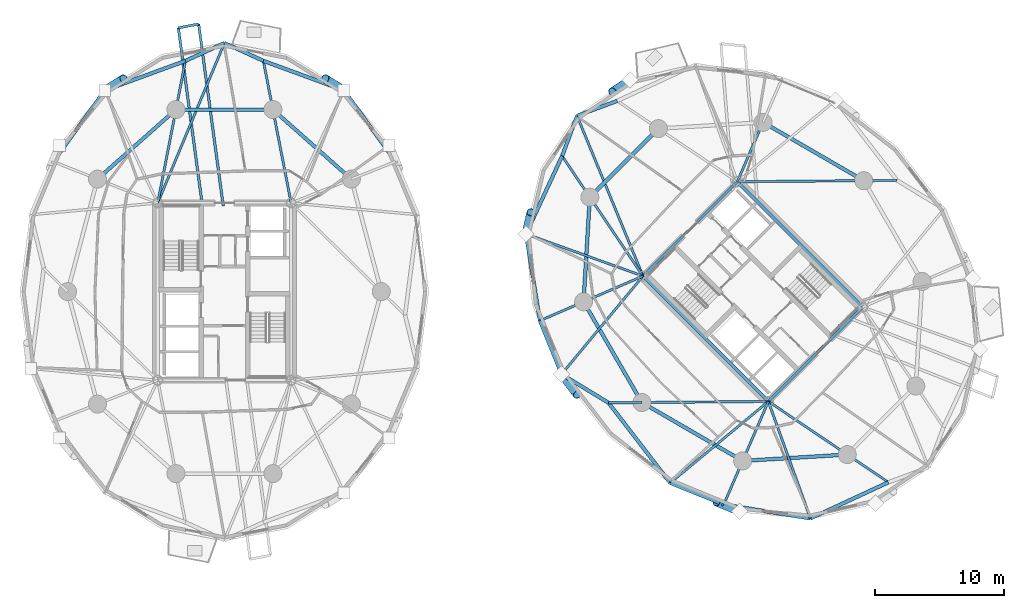
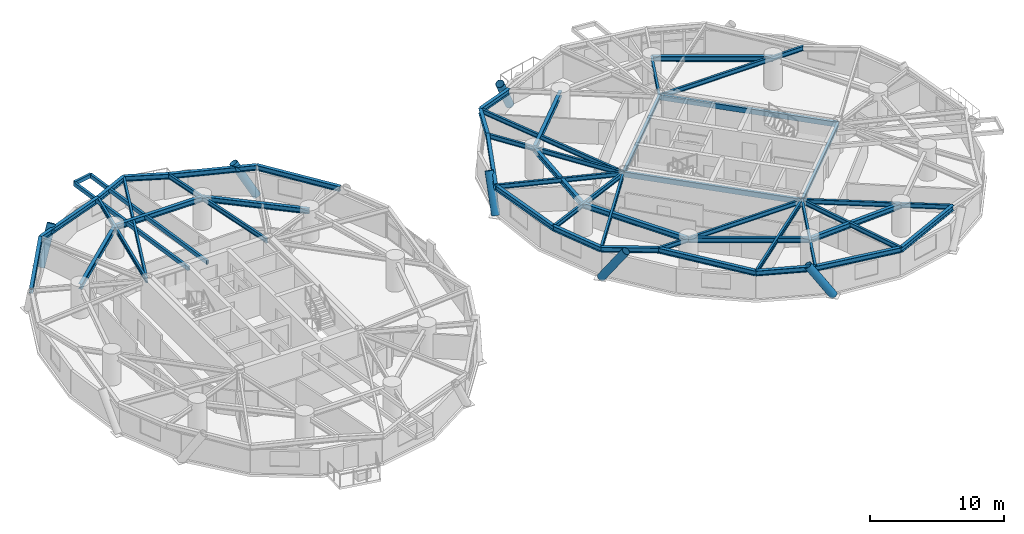
# One storey, part 5 of 18: 48 beams, 6 members.
"""IFC4 building model written with IfcOpenShell, lengths in metres."""

from ifc_helpers import new_model, si_unit, direction, frame, origin, origin_2d, place, context, subcontext, project, spatial, hollow_rectangle, hollow_circle, i_section, extrude, material, material_profile, profile_set, type_object, element, save


model = new_model("IFC4")

# Units and contexts
model_context = context("Model", 3, precision=1e-05, world=origin(), true_north=direction((0.0, 1.0)))
body_context = subcontext(model_context, "Body", "Model", "MODEL_VIEW")
ifc_project = project(units=[si_unit("LENGTHUNIT", "METRE"), si_unit("AREAUNIT", "SQUARE_METRE"), si_unit("VOLUMEUNIT", "CUBIC_METRE"), si_unit("PLANEANGLEUNIT", "RADIAN"), si_unit("MASSUNIT", "GRAM", prefix="KILO")], contexts=[model_context])

# Site, building, storey
site_placement = place(None, origin())
site = spatial("IfcSite", under=ifc_project, at=site_placement, CompositionType="ELEMENT")
building_placement = place(site_placement, origin())
building = spatial("IfcBuilding", under=site, at=building_placement, Name="Cununo Teusaquillo Station Towers", CompositionType="ELEMENT")
storey_placement = place(building_placement, frame((0.0, 0.0, 119.6201171875)))
storey = spatial("IfcBuildingStorey", under=building, at=storey_placement, Name="L38", CompositionType="ELEMENT", Elevation=119.6201171875)

# Beams
ifc_material_1 = material(Name="Steel EN 10025-2 S355J2", Category="steel")
ifc_material_profile_1 = material_profile(ifc_material_1, hollow_rectangle(XDim=0.199951171875, YDim=0.35009765625, WallThickness=0.013916015625, at=origin_2d()), Name="RHS 350x200x14")
ifc_profile_set_1 = profile_set([ifc_material_profile_1], Name="Steel EN 10025-2 S355J2")
beam_type_1 = type_object("IfcBeamType", Name="BM-BAL-CANT", PredefinedType="BEAM", material=ifc_profile_set_1)
beam_1_placement = place(storey_placement, frame((16.40869140625, 31.14990234375, 2.494873046875), z_axis=(-0.133936551357, 0.990989909237, 0.0), x_axis=(-0.990989909237, -0.133936551357, 0.0)))
element("IfcBeam", 1, at=beam_1_placement, inside=storey, type_object=beam_type_1, Name="L38 Tower A Balcony Cantilever Bracket 1A", PredefinedType="BEAM", context=body_context, shape_type="SweptSolid", body=[
    extrude(hollow_rectangle(XDim=0.199951171875, YDim=0.35009765625, WallThickness=0.013916015625, at=origin_2d()), origin(), (0.0, 0.0, 1.0), 14.24169921875),
])
beam_2_placement = place(storey_placement, frame((14.793701171875, 31.14990234375, 2.494873046875), z_axis=(-0.133960678738, 0.990986648019, 0.0), x_axis=(-0.990986648019, -0.133960678738, 0.0)))
element("IfcBeam", 2, at=beam_2_placement, inside=storey, type_object=beam_type_1, Name="L38 Tower A Balcony Cantilever Bracket 1B", PredefinedType="BEAM", context=body_context, shape_type="SweptSolid", body=[
    extrude(hollow_rectangle(XDim=0.199951171875, YDim=0.35009765625, WallThickness=0.013916015625, at=origin_2d()), origin(), (0.0, 0.0, 1.0), 13.9345703125),
])
ifc_material_2 = material(Name="Steel EN 10025-2 S355J2", Category="steel")
ifc_material_profile_2 = material_profile(ifc_material_2, hollow_rectangle(XDim=0.25, YDim=0.449951171875, WallThickness=0.01611328125, at=origin_2d()), Name="RHS 450x250x16")
ifc_profile_set_2 = profile_set([ifc_material_profile_2], Name="Steel EN 10025-2 S355J2")
beam_type_2 = type_object("IfcBeamType", Name="BM-COUP-1", PredefinedType="USERDEFINED", material=ifc_profile_set_2)
for number, where, z_axis, x_axis, name in (
    (3, (58.70556640625, 15.975830078125, 2.44482421875), (-0.707106781187, 0.707106781187, 0.0), (-0.707106781187, -0.707106781187, 0.0), "L38 Tower B Core Beam 1"),
    (4, (66.024169921875, 23.29443359375, 2.44482421875), (-0.707106781187, 0.707106781187, 0.0), (-0.707106781187, -0.707106781187, 0.0), "L38 Tower B Core Beam 2"),
):
    element("IfcBeam", number, at=place(storey_placement, frame(where, z_axis=z_axis, x_axis=x_axis)), inside=storey, type_object=beam_type_2, Name=name, ObjectType="COUPLING BEAM", PredefinedType="USERDEFINED", context=body_context, shape_type="SweptSolid", body=[
        extrude(hollow_rectangle(XDim=0.25, YDim=0.449951171875, WallThickness=0.01611328125, at=origin_2d()), origin(), (0.0, 0.0, 1.0), 13.760009765625),
    ])
ifc_material_3 = material(Name="Steel ASTM A572 Grade 50", Category="steel")
ifc_material_profile_3 = material_profile(ifc_material_3, i_section(OverallWidth=0.180908203125, OverallDepth=0.4169921875, WebThickness=0.010986328125, FlangeThickness=0.018310546875, FilletRadius=0.012939453125, at=origin_2d()), Name="W16X57")
ifc_profile_set_3 = profile_set([ifc_material_profile_3], Name="Steel ASTM A572 Grade 50")
beam_type_3 = type_object("IfcBeamType", Name="BM-JOIST-1", PredefinedType="JOIST", material=ifc_profile_set_3)
beam_3_placement = place(storey_placement, frame((11.324951171875, 31.3798828125, 2.46142578125), z_axis=(0.38487837995, 0.922967297713, 0.0), x_axis=(-0.922967297713, 0.38487837995, 0.0)))
element("IfcBeam", 5, at=beam_3_placement, inside=storey, type_object=beam_type_3, Name="L38 Tower A Radial Spandrel Joist V05", PredefinedType="JOIST", context=body_context, shape_type="SweptSolid", body=[
    extrude(i_section(OverallWidth=0.180908203125, OverallDepth=0.4169921875, WebThickness=0.010986328125, FlangeThickness=0.018310546875, FilletRadius=0.012939453125, at=origin_2d()), origin(), (0.0, 0.0, 1.0), 13.446044921875),
])
beam_4_placement = place(storey_placement, frame((48.975830078125, 25.70556640625, 2.46142578125), z_axis=(-0.380485864505, 0.924786735908, 0.0), x_axis=(-0.924786735908, -0.380485864505, 0.0)))
element("IfcBeam", 6, at=beam_4_placement, inside=storey, type_object=beam_type_3, Name="L38 Tower B Radial Spandrel Joist V05", PredefinedType="JOIST", context=body_context, shape_type="SweptSolid", body=[
    extrude(i_section(OverallWidth=0.180908203125, OverallDepth=0.4169921875, WebThickness=0.010986328125, FlangeThickness=0.018310546875, FilletRadius=0.012939453125, at=origin_2d()), origin(), (0.0, 0.0, 1.0), 13.44580078125),
])
beam_5_placement = place(storey_placement, frame((48.975830078125, 25.70556640625, 2.46142578125), z_axis=(-0.941082771055, 0.338176312038, 0.0), x_axis=(-0.338176312038, -0.941082771055, 0.0)))
element("IfcBeam", 7, at=beam_5_placement, inside=storey, type_object=beam_type_3, Name="L38 Tower B Radial Spandrel Joist V07", PredefinedType="JOIST", context=body_context, shape_type="SweptSolid", body=[
    extrude(i_section(OverallWidth=0.180908203125, OverallDepth=0.4169921875, WebThickness=0.010986328125, FlangeThickness=0.018310546875, FilletRadius=0.012939453125, at=origin_2d()), origin(), (0.0, 0.0, 1.0), 9.646484375),
])
for number, where, z_axis, x_axis, name in (
    (8, (48.975830078125, 25.70556640625, 2.46142578125), (-0.638372238196, -0.769727799615, 0.0), (0.769727799615, -0.638372238196, 0.0), "L38 Tower B Radial Spandrel Joist V09"),
    (9, (58.70556640625, 15.975830078125, 2.46142578125), (-0.769727799615, -0.638372238196, 0.0), (0.638372238196, -0.769727799615, 0.0), "L38 Tower B Radial Spandrel Joist V11"),
):
    element("IfcBeam", number, at=place(storey_placement, frame(where, z_axis=z_axis, x_axis=x_axis)), inside=storey, type_object=beam_type_3, Name=name, PredefinedType="JOIST", context=body_context, shape_type="SweptSolid", body=[
        extrude(i_section(OverallWidth=0.180908203125, OverallDepth=0.4169921875, WebThickness=0.010986328125, FlangeThickness=0.018310546875, FilletRadius=0.012939453125, at=origin_2d()), origin(), (0.0, 0.0, 1.0), 9.895263671875),
    ])
beam_6_placement = place(storey_placement, frame((58.70556640625, 15.975830078125, 2.46142578125), z_axis=(0.338176312038, -0.941082771055, 0.0), x_axis=(0.941082771055, 0.338176312038, 0.0)))
element("IfcBeam", 10, at=beam_6_placement, inside=storey, type_object=beam_type_3, Name="L38 Tower B Radial Spandrel Joist V13", PredefinedType="JOIST", context=body_context, shape_type="SweptSolid", body=[
    extrude(i_section(OverallWidth=0.180908203125, OverallDepth=0.4169921875, WebThickness=0.010986328125, FlangeThickness=0.018310546875, FilletRadius=0.012939453125, at=origin_2d()), origin(), (0.0, 0.0, 1.0), 9.646484375),
])
ifc_material_4 = material(Name="Steel ASTM A572 Grade 50", Category="steel")
ifc_material_profile_4 = material_profile(ifc_material_4, i_section(OverallWidth=0.2041015625, OverallDepth=0.35009765625, WebThickness=0.008544921875, FlangeThickness=0.01513671875, FilletRadius=0.011962890625, at=origin_2d()), Name="W14X48")
ifc_profile_set_4 = profile_set([ifc_material_profile_4], Name="Steel ASTM A572 Grade 50")
beam_type_4 = type_object("IfcBeamType", Name="BM-LINTEL-1", PredefinedType="LINTEL", material=ifc_profile_set_4)
for number, where, z_axis, x_axis, name in (
    (11, (58.70556640625, 15.975830078125, 2.494873046875), (0.707106781187, 0.707106781187, 0.0), (-0.707106781187, 0.707106781187, 0.0), "L38 Tower B Core Beam 3"),
    (12, (48.975830078125, 25.70556640625, 2.494873046875), (0.707106781187, 0.707106781187, 0.0), (-0.707106781187, 0.707106781187, 0.0), "L38 Tower B Core Beam 4"),
):
    element("IfcBeam", number, at=place(storey_placement, frame(where, z_axis=z_axis, x_axis=x_axis)), inside=storey, type_object=beam_type_4, Name=name, PredefinedType="LINTEL", context=body_context, shape_type="SweptSolid", body=[
        extrude(i_section(OverallWidth=0.2041015625, OverallDepth=0.35009765625, WebThickness=0.008544921875, FlangeThickness=0.01513671875, FilletRadius=0.011962890625, at=origin_2d()), origin(), (0.0, 0.0, 1.0), 10.35009765625),
    ])
ifc_material_5 = material(Name="Steel ASTM A572 Grade 50", Category="steel")
ifc_material_profile_5 = material_profile(ifc_material_5, i_section(OverallWidth=0.180908203125, OverallDepth=0.4169921875, WebThickness=0.010986328125, FlangeThickness=0.018310546875, FilletRadius=0.012939453125, at=origin_2d()), Name="W16X57")
ifc_profile_set_5 = profile_set([ifc_material_profile_5], Name="Steel ASTM A572 Grade 50")
beam_type_5 = type_object("IfcBeamType", Name="BM-RAD-G2", PredefinedType="BEAM", material=ifc_profile_set_5)
for number, where, z_axis, x_axis, name in (
    (13, (21.675048828125, 31.3798828125, 2.46142578125), (-0.191552755713, 0.981482318628, 0.0), (-0.981482318628, -0.191552755713, 0.0), "L38 Tower A Continuous Overhanging Radial Girder 03"),
    (14, (11.324951171875, 31.3798828125, 2.46142578125), (0.191552755713, 0.981482318628, 0.0), (-0.981482318628, 0.191552755713, 0.0), "L38 Tower A Continuous Overhanging Radial Girder 04"),
):
    element("IfcBeam", number, at=place(storey_placement, frame(where, z_axis=z_axis, x_axis=x_axis)), inside=storey, type_object=beam_type_5, Name=name, PredefinedType="BEAM", context=body_context, shape_type="SweptSolid", body=[
        extrude(i_section(OverallWidth=0.180908203125, OverallDepth=0.4169921875, WebThickness=0.010986328125, FlangeThickness=0.018310546875, FilletRadius=0.012939453125, at=origin_2d()), origin(), (0.0, 0.0, 1.0), 11.22998046875),
    ])
beam_7_placement = place(storey_placement, frame((56.29443359375, 33.024169921875, 2.46142578125), z_axis=(0.999964331255, 0.008446077024, 0.0), x_axis=(-0.008446077024, 0.999964331255, 0.0)))
element("IfcBeam", 15, at=beam_7_placement, inside=storey, type_object=beam_type_5, Name="L38 Tower B Continuous Overhanging Radial Girder 01", PredefinedType="BEAM", context=body_context, shape_type="SweptSolid", body=[
    extrude(i_section(OverallWidth=0.180908203125, OverallDepth=0.4169921875, WebThickness=0.010986328125, FlangeThickness=0.018310546875, FilletRadius=0.012939453125, at=origin_2d()), origin(), (0.0, 0.0, 1.0), 12.400634765625),
])
beam_8_placement = place(storey_placement, frame((56.29443359375, 33.024169921875, 2.46142578125), z_axis=(0.397346986387, 0.917668443616, 0.0), x_axis=(-0.917668443616, 0.397346986387, 0.0)))
element("IfcBeam", 16, at=beam_8_placement, inside=storey, type_object=beam_type_5, Name="L38 Tower B Radial Girder 02A", PredefinedType="BEAM", context=body_context, shape_type="SweptSolid", body=[
    extrude(i_section(OverallWidth=0.180908203125, OverallDepth=0.4169921875, WebThickness=0.010986328125, FlangeThickness=0.018310546875, FilletRadius=0.012939453125, at=origin_2d()), origin(), (0.0, 0.0, 1.0), 5.02490234375),
])
beam_9_placement = place(storey_placement, frame((48.975830078125, 25.70556640625, 2.46142578125), z_axis=(-0.558572297481, 0.82945583878, 0.0), x_axis=(-0.82945583878, -0.558572297481, 0.0)))
element("IfcBeam", 17, at=beam_9_placement, inside=storey, type_object=beam_type_5, Name="L38 Tower B Continuous Overhanging Radial Girder 04", PredefinedType="BEAM", context=body_context, shape_type="SweptSolid", body=[
    extrude(i_section(OverallWidth=0.180908203125, OverallDepth=0.4169921875, WebThickness=0.010986328125, FlangeThickness=0.018310546875, FilletRadius=0.012939453125, at=origin_2d()), origin(), (0.0, 0.0, 1.0), 11.22998046875),
])
beam_10_placement = place(storey_placement, frame((48.975830078125, 25.70556640625, 2.46142578125), z_axis=(-0.917654733344, -0.397378648609, 0.0), x_axis=(0.397378648609, -0.917654733344, 0.0)))
element("IfcBeam", 18, at=beam_10_placement, inside=storey, type_object=beam_type_5, Name="L38 Tower B Continuous Overhanging Radial Girder 05", PredefinedType="BEAM", context=body_context, shape_type="SweptSolid", body=[
    extrude(i_section(OverallWidth=0.180908203125, OverallDepth=0.4169921875, WebThickness=0.010986328125, FlangeThickness=0.018310546875, FilletRadius=0.012939453125, at=origin_2d()), origin(), (0.0, 0.0, 1.0), 8.71484375),
])
beam_11_placement = place(storey_placement, frame((58.70556640625, 15.975830078125, 2.46142578125), z_axis=(-0.999964431382, -0.008434214327, 0.0), x_axis=(0.008434214327, -0.999964431382, 0.0)))
element("IfcBeam", 19, at=beam_11_placement, inside=storey, type_object=beam_type_5, Name="L38 Tower B Radial Girder 06A", PredefinedType="BEAM", context=body_context, shape_type="SweptSolid", body=[
    extrude(i_section(OverallWidth=0.180908203125, OverallDepth=0.4169921875, WebThickness=0.010986328125, FlangeThickness=0.018310546875, FilletRadius=0.012939453125, at=origin_2d()), origin(), (0.0, 0.0, 1.0), 9.812744140625),
])
beam_12_placement = place(storey_placement, frame((48.89306640625, 15.89306640625, 2.46142578125), z_axis=(-0.999963950292, -0.008491060999, 0.0), x_axis=(0.008491060999, -0.999963950292, 0.0)))
element("IfcBeam", 20, at=beam_12_placement, inside=storey, type_object=beam_type_5, Name="L38 Tower B Perimeter Overhang Girder 06B", PredefinedType="BEAM", context=body_context, shape_type="SweptSolid", body=[
    extrude(i_section(OverallWidth=0.180908203125, OverallDepth=0.4169921875, WebThickness=0.010986328125, FlangeThickness=0.018310546875, FilletRadius=0.012939453125, at=origin_2d()), origin(), (0.0, 0.0, 1.0), 2.587646484375),
])
beam_13_placement = place(storey_placement, frame((58.70556640625, 15.975830078125, 2.46142578125), z_axis=(-0.397378648609, -0.917654733344, 0.0), x_axis=(0.917654733344, -0.397378648609, 0.0)))
element("IfcBeam", 21, at=beam_13_placement, inside=storey, type_object=beam_type_5, Name="L38 Tower B Continuous Overhanging Radial Girder 07", PredefinedType="BEAM", context=body_context, shape_type="SweptSolid", body=[
    extrude(i_section(OverallWidth=0.180908203125, OverallDepth=0.4169921875, WebThickness=0.010986328125, FlangeThickness=0.018310546875, FilletRadius=0.012939453125, at=origin_2d()), origin(), (0.0, 0.0, 1.0), 8.71484375),
])
beam_14_placement = place(storey_placement, frame((58.70556640625, 15.975830078125, 2.46142578125), z_axis=(0.82945583878, -0.558572297481, 0.0), x_axis=(0.558572297481, 0.82945583878, 0.0)))
element("IfcBeam", 22, at=beam_14_placement, inside=storey, type_object=beam_type_5, Name="L38 Tower B Continuous Overhanging Radial Girder 08", PredefinedType="BEAM", context=body_context, shape_type="SweptSolid", body=[
    extrude(i_section(OverallWidth=0.180908203125, OverallDepth=0.4169921875, WebThickness=0.010986328125, FlangeThickness=0.018310546875, FilletRadius=0.012939453125, at=origin_2d()), origin(), (0.0, 0.0, 1.0), 11.22998046875),
])
ifc_material_6 = material(Name="Steel ASTM A572 Grade 50", Category="steel")
ifc_material_profile_6 = material_profile(ifc_material_6, i_section(OverallWidth=0.280029296875, OverallDepth=0.462890625, WebThickness=0.0107421875, FlangeThickness=0.017333984375, FilletRadius=0.013916015625, at=origin_2d()), Name="W18X76")
ifc_profile_set_6 = profile_set([ifc_material_profile_6], Name="Steel ASTM A572 Grade 50")
beam_type_6 = type_object("IfcBeamType", Name="BM-RING-Z2", PredefinedType="SPANDREL", material=ifc_profile_set_6)
beam_15_placement = place(storey_placement, frame((26.347412109375, 33.228515625, 2.4384765625), z_axis=(-0.74832120039, 0.66333655187, 0.0), x_axis=(-0.66333655187, -0.74832120039, 0.0)))
element("IfcBeam", 23, at=beam_15_placement, inside=storey, type_object=beam_type_6, Name="L38 Tower A Structural Column Ring Girder 02", PredefinedType="SPANDREL", context=body_context, shape_type="SweptSolid", body=[
    extrude(i_section(OverallWidth=0.280029296875, OverallDepth=0.462890625, WebThickness=0.0107421875, FlangeThickness=0.017333984375, FilletRadius=0.013916015625, at=origin_2d()), origin(), (0.0, 0.0, 1.0), 8.1328125),
])
beam_16_placement = place(storey_placement, frame((20.261474609375, 38.623291015625, 2.4384765625), z_axis=(-1.0, 0.0, 0.0), x_axis=(0.0, -1.0, 0.0)))
element("IfcBeam", 24, at=beam_16_placement, inside=storey, type_object=beam_type_6, Name="L38 Tower A Structural Column Ring Girder 03", PredefinedType="SPANDREL", context=body_context, shape_type="SweptSolid", body=[
    extrude(i_section(OverallWidth=0.280029296875, OverallDepth=0.462890625, WebThickness=0.0107421875, FlangeThickness=0.017333984375, FilletRadius=0.013916015625, at=origin_2d()), origin(), (0.0, 0.0, 1.0), 7.52294921875),
])
beam_17_placement = place(storey_placement, frame((12.738525390625, 38.623291015625, 2.4384765625), z_axis=(-0.74832120039, -0.66333655187, 0.0), x_axis=(0.66333655187, -0.74832120039, 0.0)))
element("IfcBeam", 25, at=beam_17_placement, inside=storey, type_object=beam_type_6, Name="L38 Tower A Structural Column Ring Girder 04", PredefinedType="SPANDREL", context=body_context, shape_type="SweptSolid", body=[
    extrude(i_section(OverallWidth=0.280029296875, OverallDepth=0.462890625, WebThickness=0.0107421875, FlangeThickness=0.017333984375, FilletRadius=0.013916015625, at=origin_2d()), origin(), (0.0, 0.0, 1.0), 8.1328125),
])
beam_18_placement = place(storey_placement, frame((29.77880859375, 34.586181640625, 2.4384765625), z_axis=(-0.58594455724, 0.810351143543, 0.0), x_axis=(-0.810351143543, -0.58594455724, 0.0)))
element("IfcBeam", 26, at=beam_18_placement, inside=storey, type_object=beam_type_6, Name="L38 Tower A Spandrel Ring Beam 03", PredefinedType="SPANDREL", context=body_context, shape_type="SweptSolid", body=[
    extrude(i_section(OverallWidth=0.280029296875, OverallDepth=0.462890625, WebThickness=0.0107421875, FlangeThickness=0.017333984375, FilletRadius=0.013916015625, at=origin_2d()), origin(), (0.0, 0.0, 1.0), 6.8115234375),
])
beam_19_placement = place(storey_placement, frame((25.78759765625, 40.10595703125, 2.4384765625), z_axis=(-0.938914161016, 0.34415141761, 0.0), x_axis=(-0.34415141761, -0.938914161016, 0.0)))
element("IfcBeam", 27, at=beam_19_placement, inside=storey, type_object=beam_type_6, Name="L38 Tower A Spandrel Ring Beam 04", PredefinedType="SPANDREL", context=body_context, shape_type="SweptSolid", body=[
    extrude(i_section(OverallWidth=0.280029296875, OverallDepth=0.462890625, WebThickness=0.0107421875, FlangeThickness=0.017333984375, FilletRadius=0.013916015625, at=origin_2d()), origin(), (0.0, 0.0, 1.0), 6.671142578125),
])
for number, where, z_axis, x_axis, name in (
    (28, (19.52392578125, 42.40185546875, 2.4384765625), (-0.908812215281, 0.417205413862, 0.0), (-0.417205413862, -0.908812215281, 0.0), "L38 Tower A Spandrel Ring Beam 05"),
    (29, (16.5, 43.7900390625, 2.4384765625), (-0.908812215281, -0.417205413862, 0.0), (0.417205413862, -0.908812215281, 0.0), "L38 Tower A Spandrel Ring Beam 06"),
):
    element("IfcBeam", number, at=place(storey_placement, frame(where, z_axis=z_axis, x_axis=x_axis)), inside=storey, type_object=beam_type_6, Name=name, PredefinedType="SPANDREL", context=body_context, shape_type="SweptSolid", body=[
        extrude(i_section(OverallWidth=0.280029296875, OverallDepth=0.462890625, WebThickness=0.0107421875, FlangeThickness=0.017333984375, FilletRadius=0.013916015625, at=origin_2d()), origin(), (0.0, 0.0, 1.0), 3.327392578125),
    ])
beam_20_placement = place(storey_placement, frame((13.47607421875, 42.40185546875, 2.4384765625), z_axis=(-0.938914161016, -0.34415141761, 0.0), x_axis=(0.34415141761, -0.938914161016, 0.0)))
element("IfcBeam", 30, at=beam_20_placement, inside=storey, type_object=beam_type_6, Name="L38 Tower A Spandrel Ring Beam 07", PredefinedType="SPANDREL", context=body_context, shape_type="SweptSolid", body=[
    extrude(i_section(OverallWidth=0.280029296875, OverallDepth=0.462890625, WebThickness=0.0107421875, FlangeThickness=0.017333984375, FilletRadius=0.013916015625, at=origin_2d()), origin(), (0.0, 0.0, 1.0), 6.671142578125),
])
beam_21_placement = place(storey_placement, frame((7.21240234375, 40.10595703125, 2.4384765625), z_axis=(-0.58594455724, -0.810351143543, 0.0), x_axis=(0.810351143543, -0.58594455724, 0.0)))
element("IfcBeam", 31, at=beam_21_placement, inside=storey, type_object=beam_type_6, Name="L38 Tower A Spandrel Ring Beam 08", PredefinedType="SPANDREL", context=body_context, shape_type="SweptSolid", body=[
    extrude(i_section(OverallWidth=0.280029296875, OverallDepth=0.462890625, WebThickness=0.0107421875, FlangeThickness=0.017333984375, FilletRadius=0.013916015625, at=origin_2d()), origin(), (0.0, 0.0, 1.0), 6.8115234375),
])
beam_22_placement = place(storey_placement, frame((66.10693359375, 33.10693359375, 2.4384765625), z_axis=(-0.865267103202, 0.501311121078, 0.0), x_axis=(-0.501311121078, -0.865267103202, 0.0)))
element("IfcBeam", 32, at=beam_22_placement, inside=storey, type_object=beam_type_6, Name="L38 Tower B Structural Column Ring Girder 01", PredefinedType="SPANDREL", context=body_context, shape_type="SweptSolid", body=[
    extrude(i_section(OverallWidth=0.280029296875, OverallDepth=0.462890625, WebThickness=0.0107421875, FlangeThickness=0.017333984375, FilletRadius=0.013916015625, at=origin_2d()), origin(), (0.0, 0.0, 1.0), 9.032958984375),
])
beam_23_placement = place(storey_placement, frame((50.173095703125, 37.146240234375, 2.4384765625), z_axis=(-0.707106781187, -0.707106781187, 0.0), x_axis=(0.707106781187, -0.707106781187, 0.0)))
element("IfcBeam", 33, at=beam_23_placement, inside=storey, type_object=beam_type_6, Name="L38 Tower B Structural Column Ring Girder 03", PredefinedType="SPANDREL", context=body_context, shape_type="SweptSolid", body=[
    extrude(i_section(OverallWidth=0.280029296875, OverallDepth=0.462890625, WebThickness=0.0107421875, FlangeThickness=0.017333984375, FilletRadius=0.013916015625, at=origin_2d()), origin(), (0.0, 0.0, 1.0), 7.522705078125),
])
beam_24_placement = place(storey_placement, frame((44.853759765625, 31.826904296875, 2.4384765625), z_axis=(-0.06012979176, -0.998190567048, 0.0), x_axis=(0.998190567048, -0.06012979176, 0.0)))
element("IfcBeam", 34, at=beam_24_placement, inside=storey, type_object=beam_type_6, Name="L38 Tower B Structural Column Ring Girder 04", PredefinedType="SPANDREL", context=body_context, shape_type="SweptSolid", body=[
    extrude(i_section(OverallWidth=0.280029296875, OverallDepth=0.462890625, WebThickness=0.0107421875, FlangeThickness=0.017333984375, FilletRadius=0.013916015625, at=origin_2d()), origin(), (0.0, 0.0, 1.0), 8.132568359375),
])
for number, where, z_axis, x_axis, name in (
    (35, (44.36474609375, 23.708984375, 2.4384765625), (0.501311121078, -0.865267103202, 0.0), (0.865267103202, 0.501311121078, 0.0), "L38 Tower B Structural Column Ring Girder 05"),
    (36, (48.89306640625, 15.89306640625, 2.4384765625), (0.865267103202, -0.501311121078, 0.0), (0.501311121078, 0.865267103202, 0.0), "L38 Tower B Structural Column Ring Girder 06"),
):
    element("IfcBeam", number, at=place(storey_placement, frame(where, z_axis=z_axis, x_axis=x_axis)), inside=storey, type_object=beam_type_6, Name=name, PredefinedType="SPANDREL", context=body_context, shape_type="SweptSolid", body=[
        extrude(i_section(OverallWidth=0.280029296875, OverallDepth=0.462890625, WebThickness=0.0107421875, FlangeThickness=0.017333984375, FilletRadius=0.013916015625, at=origin_2d()), origin(), (0.0, 0.0, 1.0), 9.032958984375),
    ])
beam_25_placement = place(storey_placement, frame((56.708984375, 11.36474609375, 2.4384765625), z_axis=(0.998190567048, 0.06012979176, 0.0), x_axis=(-0.06012979176, 0.998190567048, 0.0)))
element("IfcBeam", 37, at=beam_25_placement, inside=storey, type_object=beam_type_6, Name="L38 Tower B Structural Column Ring Girder 07", PredefinedType="SPANDREL", context=body_context, shape_type="SweptSolid", body=[
    extrude(i_section(OverallWidth=0.280029296875, OverallDepth=0.462890625, WebThickness=0.0107421875, FlangeThickness=0.017333984375, FilletRadius=0.013916015625, at=origin_2d()), origin(), (0.0, 0.0, 1.0), 8.132568359375),
])
for number, where, z_axis, x_axis, name in (
    (38, (46.979736328125, 39.296875, 2.4384765625), (-0.937628334414, -0.347639333943, 0.0), (0.347639333943, -0.937628334414, 0.0), "L38 Tower B Spandrel Ring Beam 05"),
    (39, (43.85986328125, 38.14013671875, 2.4384765625), (-0.347639333943, -0.937628334414, 0.0), (0.937628334414, -0.347639333943, 0.0), "L38 Tower B Spandrel Ring Beam 06"),
):
    element("IfcBeam", number, at=place(storey_placement, frame(where, z_axis=z_axis, x_axis=x_axis)), inside=storey, type_object=beam_type_6, Name=name, PredefinedType="SPANDREL", context=body_context, shape_type="SweptSolid", body=[
        extrude(i_section(OverallWidth=0.280029296875, OverallDepth=0.462890625, WebThickness=0.0107421875, FlangeThickness=0.017333984375, FilletRadius=0.013916015625, at=origin_2d()), origin(), (0.0, 0.0, 1.0), 3.327392578125),
    ])
beam_26_placement = place(storey_placement, frame((42.703125, 35.020263671875, 2.4384765625), z_axis=(-0.420535961689, -0.907275870354, 0.0), x_axis=(0.907275870354, -0.420535961689, 0.0)))
element("IfcBeam", 40, at=beam_26_placement, inside=storey, type_object=beam_type_6, Name="L38 Tower B Spandrel Ring Beam 07", PredefinedType="SPANDREL", context=body_context, shape_type="SweptSolid", body=[
    extrude(i_section(OverallWidth=0.280029296875, OverallDepth=0.462890625, WebThickness=0.0107421875, FlangeThickness=0.017333984375, FilletRadius=0.013916015625, at=origin_2d()), origin(), (0.0, 0.0, 1.0), 6.671142578125),
])
beam_27_placement = place(storey_placement, frame((39.897705078125, 28.9677734375, 2.4384765625), z_axis=(0.158671232312, -0.987331474246, 0.0), x_axis=(0.987331474246, 0.158671232312, 0.0)))
element("IfcBeam", 41, at=beam_27_placement, inside=storey, type_object=beam_type_6, Name="L38 Tower B Spandrel Ring Beam 08", PredefinedType="SPANDREL", context=body_context, shape_type="SweptSolid", body=[
    extrude(i_section(OverallWidth=0.280029296875, OverallDepth=0.462890625, WebThickness=0.0107421875, FlangeThickness=0.017333984375, FilletRadius=0.013916015625, at=origin_2d()), origin(), (0.0, 0.0, 1.0), 6.8115234375),
])
beam_28_placement = place(storey_placement, frame((40.978515625, 22.242431640625, 2.4384765625), z_axis=(0.375042266631, -0.927007712072, 0.0), x_axis=(0.927007712072, 0.375042266631, 0.0)))
element("IfcBeam", 42, at=beam_28_placement, inside=storey, type_object=beam_type_6, Name="L38 Tower B Spandrel Ring Beam 09", PredefinedType="SPANDREL", context=body_context, shape_type="SweptSolid", body=[
    extrude(i_section(OverallWidth=0.280029296875, OverallDepth=0.462890625, WebThickness=0.0107421875, FlangeThickness=0.017333984375, FilletRadius=0.013916015625, at=origin_2d()), origin(), (0.0, 0.0, 1.0), 4.480712890625),
])
beam_29_placement = place(storey_placement, frame((42.658935546875, 18.0888671875, 2.4384765625), z_axis=(0.854388492444, -0.519634779416, 0.0), x_axis=(0.519634779416, 0.854388492444, 0.0)))
element("IfcBeam", 43, at=beam_29_placement, inside=storey, type_object=beam_type_6, Name="L38 Tower B Spandrel Ring Beam 10", PredefinedType="SPANDREL", context=body_context, shape_type="SweptSolid", body=[
    extrude(i_section(OverallWidth=0.280029296875, OverallDepth=0.462890625, WebThickness=0.0107421875, FlangeThickness=0.017333984375, FilletRadius=0.013916015625, at=origin_2d()), origin(), (0.0, 0.0, 1.0), 4.26806640625),
])
beam_30_placement = place(storey_placement, frame((46.305419921875, 15.87109375, 2.4384765625), z_axis=(0.610100441726, -0.792324082056, 0.0), x_axis=(0.792324082056, 0.610100441726, 0.0)))
element("IfcBeam", 44, at=beam_30_placement, inside=storey, type_object=beam_type_6, Name="L38 Tower B Spandrel Ring Beam 11", PredefinedType="SPANDREL", context=body_context, shape_type="SweptSolid", body=[
    extrude(i_section(OverallWidth=0.280029296875, OverallDepth=0.462890625, WebThickness=0.0107421875, FlangeThickness=0.017333984375, FilletRadius=0.013916015625, at=origin_2d()), origin(), (0.0, 0.0, 1.0), 7.84033203125),
])
beam_31_placement = place(storey_placement, frame((51.0888671875, 9.658935546875, 2.4384765625), z_axis=(0.927007712072, -0.375042266631, 0.0), x_axis=(0.375042266631, 0.927007712072, 0.0)))
element("IfcBeam", 45, at=beam_31_placement, inside=storey, type_object=beam_type_6, Name="L38 Tower B Spandrel Ring Beam 12", PredefinedType="SPANDREL", context=body_context, shape_type="SweptSolid", body=[
    extrude(i_section(OverallWidth=0.280029296875, OverallDepth=0.462890625, WebThickness=0.0107421875, FlangeThickness=0.017333984375, FilletRadius=0.013916015625, at=origin_2d()), origin(), (0.0, 0.0, 1.0), 4.480712890625),
])
beam_32_placement = place(storey_placement, frame((55.242431640625, 7.978515625, 2.4384765625), z_axis=(0.987331474246, -0.158671232312, 0.0), x_axis=(0.158671232312, 0.987331474246, 0.0)))
element("IfcBeam", 46, at=beam_32_placement, inside=storey, type_object=beam_type_6, Name="L38 Tower B Spandrel Ring Beam 13", PredefinedType="SPANDREL", context=body_context, shape_type="SweptSolid", body=[
    extrude(i_section(OverallWidth=0.280029296875, OverallDepth=0.462890625, WebThickness=0.0107421875, FlangeThickness=0.017333984375, FilletRadius=0.013916015625, at=origin_2d()), origin(), (0.0, 0.0, 1.0), 6.8115234375),
])
beam_33_placement = place(storey_placement, frame((61.9677734375, 6.897705078125, 2.4384765625), z_axis=(0.907275870354, 0.420535961689, 0.0), x_axis=(-0.420535961689, 0.907275870354, 0.0)))
element("IfcBeam", 47, at=beam_33_placement, inside=storey, type_object=beam_type_6, Name="L38 Tower B Spandrel Ring Beam 14", PredefinedType="SPANDREL", context=body_context, shape_type="SweptSolid", body=[
    extrude(i_section(OverallWidth=0.280029296875, OverallDepth=0.462890625, WebThickness=0.0107421875, FlangeThickness=0.017333984375, FilletRadius=0.013916015625, at=origin_2d()), origin(), (0.0, 0.0, 1.0), 6.671142578125),
])
ifc_material_7 = material(Name="Steel EN 10025-2 S355J2", Category="steel")
ifc_material_profile_7 = material_profile(ifc_material_7, hollow_rectangle(XDim=0.199951171875, YDim=0.35009765625, WallThickness=0.013916015625, at=origin_2d()), Name="RHS 350x200x14")
ifc_profile_set_7 = profile_set([ifc_material_profile_7], Name="Steel EN 10025-2 S355J2")
beam_type_7 = type_object("IfcBeamType", Name="BM-STAIR-TRIM", PredefinedType="BEAM", material=ifc_profile_set_7)
beam_34_placement = place(storey_placement, frame((14.501220703125, 45.26318359375, 2.52490234375), z_axis=(-0.981836621572, -0.189728354603, 0.0), x_axis=(0.189728354603, -0.981836621572, 0.0)))
element("IfcBeam", 48, at=beam_34_placement, inside=storey, type_object=beam_type_7, Name="L38 Tower A Balcony Edge Trimmer Beam 1", PredefinedType="BEAM", context=body_context, shape_type="SweptSolid", body=[
    extrude(hollow_rectangle(XDim=0.199951171875, YDim=0.35009765625, WallThickness=0.013916015625, at=origin_2d()), origin(), (0.0, 0.0, 1.0), 1.603271484375),
])

# Members
ifc_material_8 = material(Name="Steel EN 10025-2 S355J2", Category="steel")
ifc_material_profile_8 = material_profile(ifc_material_8, hollow_circle(Radius=0.330078125, WallThickness=0.02490234375, at=origin_2d()), Name="CHS 660x25")
ifc_profile_set_8 = profile_set([ifc_material_profile_8], Name="Steel EN 10025-2 S355J2")
member_type = type_object("IfcMemberType", Name="MBR-DIAG-Z2", PredefinedType="BRACE", material=ifc_profile_set_8)
for number, where, z_axis, x_axis, name in (
    (49, (25.78759765625, 40.10595703125, -0.14013671875), (-0.433768032271, 0.269824776975, 0.859674289432), (-0.528195574716, -0.849122744278, 0.0), "L38 Tower A Folded-Zigzag Diagrid Tube C03"),
    (50, (7.21240234375, 40.10595703125, -0.14013671875), (0.433768032271, 0.269824776975, 0.859674289432), (-0.528195574716, 0.849122744278, 0.0), "L38 Tower A Folded-Zigzag Diagrid Tube C06"),
):
    element("IfcMember", number, at=place(storey_placement, frame(where, z_axis=z_axis, x_axis=x_axis)), inside=storey, type_object=member_type, Name=name, PredefinedType="BRACE", context=body_context, shape_type="SweptSolid", body=[
        extrude(hollow_circle(Radius=0.330078125, WallThickness=0.02490234375, at=origin_2d()), origin(), (0.0, 0.0, 1.0), 3.385009765625),
    ])
member_1_placement = place(storey_placement, frame((47.980224609375, 40.92529296875, -0.14013671875), z_axis=(-0.410124934173, -0.277231625428, 0.868872927552), x_axis=(0.560024081213, -0.828476329452, 0.0)))
element("IfcMember", 51, at=member_1_placement, inside=storey, type_object=member_type, Name="L38 Tower B Folded-Zigzag Diagrid Tube C04", PredefinedType="BRACE", context=body_context, shape_type="SweptSolid", body=[
    extrude(hollow_circle(Radius=0.330078125, WallThickness=0.02490234375, at=origin_2d()), origin(), (0.0, 0.0, 1.0), 3.34912109375),
])
member_2_placement = place(storey_placement, frame((39.897705078125, 28.9677734375, -0.14013671875), z_axis=(0.115910772147, 0.497471434658, 0.859701613701), x_axis=(-0.973913029911, 0.226921594761, 0.0)))
element("IfcMember", 52, at=member_2_placement, inside=storey, type_object=member_type, Name="L38 Tower B Folded-Zigzag Diagrid Tube C06", PredefinedType="BRACE", context=body_context, shape_type="SweptSolid", body=[
    extrude(hollow_circle(Radius=0.330078125, WallThickness=0.02490234375, at=origin_2d()), origin(), (0.0, 0.0, 1.0), 3.384765625),
])
member_3_placement = place(storey_placement, frame((42.658935546875, 18.0888671875, -0.14013671875), z_axis=(0.346074936166, -0.449247835466, 0.823655583898), x_axis=(0.792197972779, 0.610264182076, 0.0)))
element("IfcMember", 53, at=member_3_placement, inside=storey, type_object=member_type, Name="L38 Tower B Folded-Zigzag Diagrid Tube C09", PredefinedType="BRACE", context=body_context, shape_type="SweptSolid", body=[
    extrude(hollow_circle(Radius=0.330078125, WallThickness=0.02490234375, at=origin_2d()), origin(), (0.0, 0.0, 1.0), 3.532958984375),
])
member_4_placement = place(storey_placement, frame((56.478271484375, 7.443359375, -0.14013671875), z_axis=(-0.51346268498, 0.211093316399, 0.83174255807), x_axis=(-0.380237656053, -0.924888817599, 0.0)))
element("IfcMember", 54, at=member_4_placement, inside=storey, type_object=member_type, Name="L38 Tower B Folded-Zigzag Diagrid Tube C11", PredefinedType="BRACE", context=body_context, shape_type="SweptSolid", body=[
    extrude(hollow_circle(Radius=0.330078125, WallThickness=0.02490234375, at=origin_2d()), origin(), (0.0, 0.0, 1.0), 3.49853515625),
])

save(model, "model.ifc")
